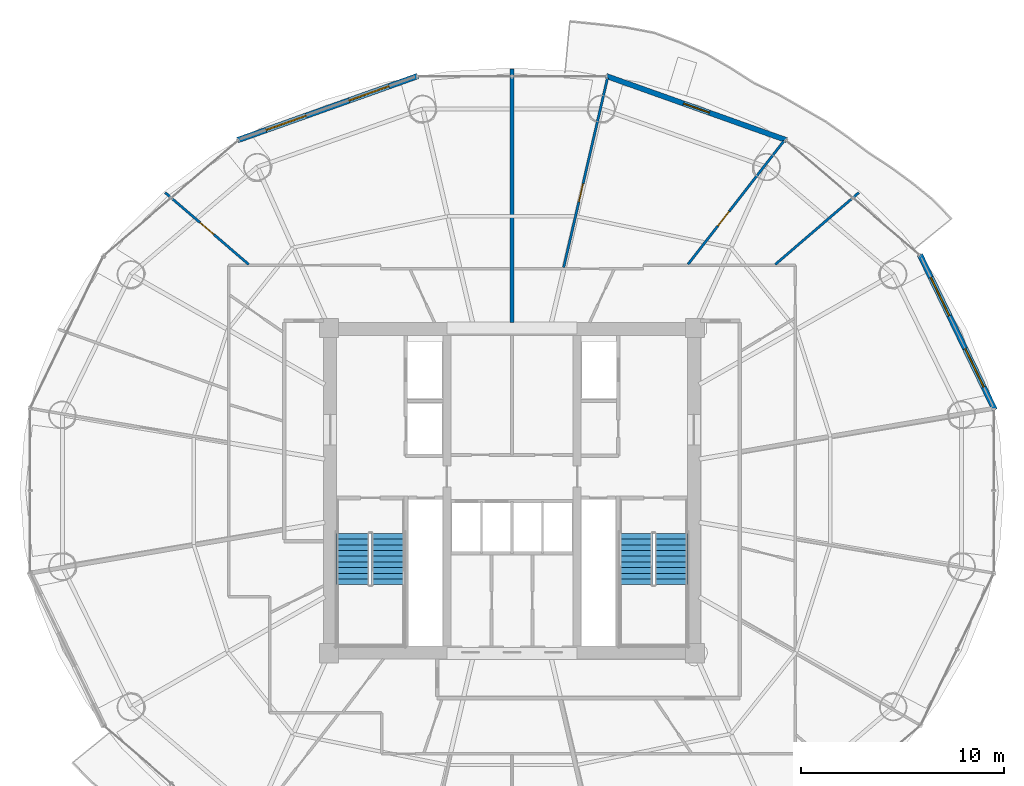
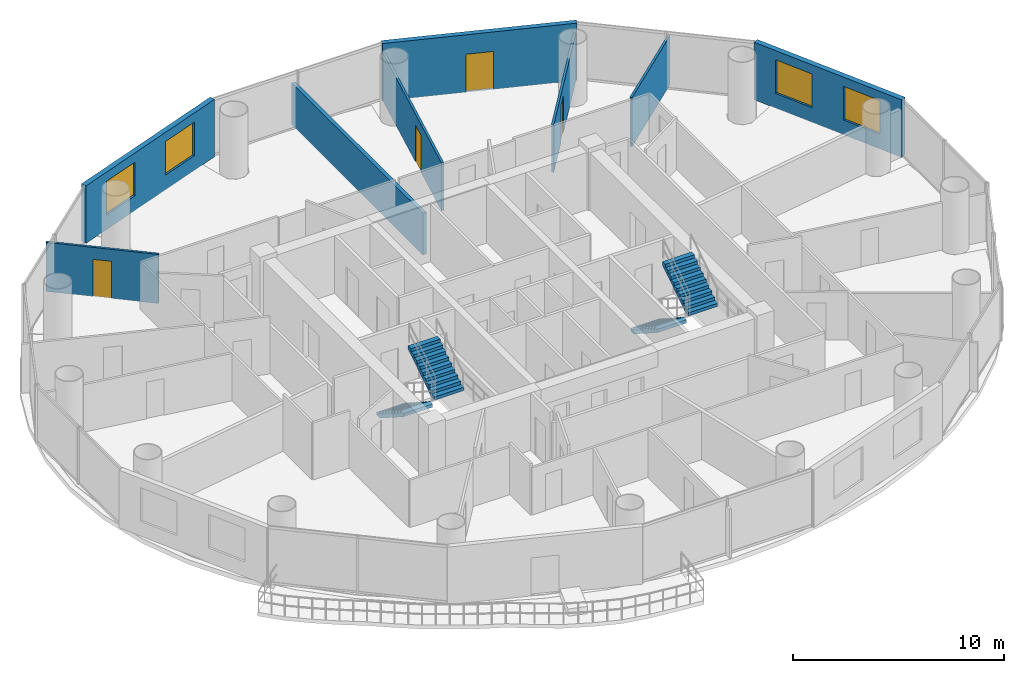
# One storey, part 23 of 26: 8 walls, 4 doors, 4 stair flights, 4 windows, 8 openings, 2 elements without a shape of their own.
"""IFC4 building model written with IfcOpenShell, lengths in metres."""

from ifc_helpers import new_model, si_unit, direction, frame, frame_2d, origin, place, context, subcontext, project, spatial, polyline, rectangle, outline, extrude, source, transform, mapped, material, layer, layer_set, type_object, element, fill, aggregate, save


model = new_model("IFC4")

# Units and contexts
model_context = context("Model", 3, precision=1e-05, world=origin(), true_north=direction((-0.2419218956, 0.970295726276)))
body_context = subcontext(model_context, "Body", "Model", "MODEL_VIEW")
ifc_project = project(units=[si_unit("LENGTHUNIT", "METRE"), si_unit("AREAUNIT", "SQUARE_METRE"), si_unit("VOLUMEUNIT", "CUBIC_METRE"), si_unit("PLANEANGLEUNIT", "RADIAN"), si_unit("MASSUNIT", "GRAM", prefix="KILO")], contexts=[model_context])

# Site, building, storey
site_placement = place(None, origin())
site = spatial("IfcSite", under=ifc_project, at=site_placement, CompositionType="ELEMENT")
building_placement = place(site_placement, origin())
building = spatial("IfcBuilding", under=site, at=building_placement, Name="Cobrevalo Terracotta Tower", CompositionType="ELEMENT")
storey_placement = place(building_placement, frame((0.0, 0.0, 142.60009765625)))
storey = spatial("IfcBuildingStorey", under=building, at=storey_placement, Name="L37", CompositionType="ELEMENT", Elevation=142.60009765625)

# Wall
ifc_material_1 = material(Name="Autoclaved aerated concrete block", Category="concrete")
ifc_layer_1 = layer(ifc_material_1, 0.199951171875)
ifc_layer_set_1 = layer_set([ifc_layer_1], Name="Autoclaved aerated concrete block")
wall_type_1 = type_object("IfcWallType", Name="Fire-rated stair, shaft & demising masonry wall 200 mm", PredefinedType="PARTITIONING", material=ifc_layer_set_1)
wall_1_placement = place(storey_placement, frame((38.0, 35.074951171875, 0.0), z_axis=(0.0, 0.0, 1.0), x_axis=(0.0, 1.0, 0.0)))
element("IfcWall", 1, at=wall_1_placement, inside=storey, type_object=wall_type_1, Name="L37 interior partition IW-L37-DEM-2", PredefinedType="PARTITIONING", context=body_context, shape_type="SweptSolid", body=[
    extrude(rectangle(XDim=12.465087890625, YDim=0.199951171875, at=frame_2d((6.232421875, 0.0))), origin(), (0.0, 0.0, 1.0), 2.414794921875),
])

# Wall, openings, windows
ifc_layer_2 = layer(ifc_material_1, 0.280029296875)
ifc_layer_set_2 = layer_set([ifc_layer_2], Name="Autoclaved aerated concrete block")
wall_type_2 = type_object("IfcWallType", Name="Insulated tower spandrel & pier wall 280 mm with terracotta rainscreen", PredefinedType="SOLIDWALL", material=ifc_layer_set_2)
wall_2_placement = place(storey_placement, frame((61.740234375, 30.780029296875, 0.0), z_axis=(0.0, 0.0, 1.0), x_axis=(-0.434209827226, 0.900811759437, 0.0)))
wall_2 = element("IfcWall", 2, at=wall_2_placement, inside=storey, type_object=wall_type_2, Name="L37 terracotta rainscreen pier wall S01", PredefinedType="SOLIDWALL", context=body_context, shape_type="SweptSolid", body=[
    extrude(rectangle(XDim=8.4716796875, YDim=0.280029296875, at=frame_2d((4.23583984375, 0.0))), origin(), (0.0, 0.0, 1.0), 3.329833984375),
])
opening_1_placement = place(wall_2_placement, frame((1.2373046875, 0.0, 0.85009765625)))
opening_1 = element("IfcOpeningElement", 3, at=opening_1_placement, cuts=wall_2, Name="Opening WN-10", PredefinedType="OPENING", context=body_context, shape_type="SweptSolid", body=[
    extrude(rectangle(XDim=2.10009765625, YDim=1.949951171875, at=frame_2d((1.050048828125, 0.97509765625))), frame((0.0, 0.14990234375, 0.0), z_axis=(0.0, -1.0, 0.0), x_axis=(1.0, 0.0, 0.0)), (0.0, 0.0, 1.0), 0.300048828125),
])
opening_2_placement = place(wall_2_placement, frame((5.13427734375, 0.0, 0.85009765625)))
opening_2 = element("IfcOpeningElement", 4, at=opening_2_placement, cuts=wall_2, Name="Opening WN-10", PredefinedType="OPENING", context=body_context, shape_type="SweptSolid", body=[
    extrude(rectangle(XDim=2.10009765625, YDim=1.949951171875, at=frame_2d((1.050048828125, 0.97509765625))), frame((0.0, 0.14990234375, 0.0), z_axis=(0.0, -1.0, 0.0), x_axis=(1.0, 0.0, 0.0)), (0.0, 0.0, 1.0), 0.300048828125),
])
ifc_material_2 = material(Name="Solar-control low-E double glazing", Category="glass")
window_type = type_object("IfcWindowType", Name="Wide panoramic low-E aluminium window 2100x1950", PartitioningType="SINGLE_PANEL", PredefinedType="WINDOW", material=ifc_material_2)
shared_shape_1 = source(origin(), body_context, "Body", "SweptSolid", [
    extrude(rectangle(XDim=2.10009765625, YDim=1.949951171875, at=frame_2d((1.050048828125, 0.97509765625))), frame((0.0, 0.030029296875, 0.0), z_axis=(0.0, -1.0, 0.0), x_axis=(1.0, 0.0, 0.0)), (0.0, 0.0, 1.0), 0.06005859375),
])
window_1_placement = place(opening_1_placement, origin())
window_1 = element("IfcWindow", 5, at=window_1_placement, inside=storey, type_object=window_type, Name="L37 suite window S01A", OverallHeight=1.949951171875, OverallWidth=2.10009765625, PartitioningType="SINGLE_PANEL", PredefinedType="WINDOW", context=body_context, shape_type="MappedRepresentation", body=[
    mapped(shared_shape_1, transform((0.0, 0.0, 0.0), scale=1.0)),
])
fill(opening_1, window_1)
window_2_placement = place(opening_2_placement, origin())
window_2 = element("IfcWindow", 6, at=window_2_placement, inside=storey, type_object=window_type, Name="L37 suite window S01B", OverallHeight=1.949951171875, OverallWidth=2.10009765625, PartitioningType="SINGLE_PANEL", PredefinedType="WINDOW", context=body_context, shape_type="MappedRepresentation", body=[
    mapped(shared_shape_1, transform((0.0, 0.0, 0.0), scale=1.0)),
])
fill(opening_2, window_2)

wall_3_placement = place(storey_placement, frame((33.360107421875, 47.19775390625, 0.0), z_axis=(0.0, 0.0, 1.0), x_axis=(-0.942095406405, -0.335344964522, 0.0)))
wall_3 = element("IfcWall", 7, at=wall_3_placement, inside=storey, type_object=wall_type_2, Name="L37 terracotta rainscreen pier wall S05", PredefinedType="SOLIDWALL", context=body_context, shape_type="SweptSolid", body=[
    extrude(rectangle(XDim=9.408203125, YDim=0.280029296875, at=frame_2d((4.7041015625, 0.0))), origin(), (0.0, 0.0, 1.0), 3.329833984375),
])
opening_3_placement = place(wall_3_placement, frame((1.490234375, 0.0, 0.85009765625)))
opening_3 = element("IfcOpeningElement", 8, at=opening_3_placement, cuts=wall_3, Name="Opening WN-10", PredefinedType="OPENING", context=body_context, shape_type="SweptSolid", body=[
    extrude(rectangle(XDim=2.10009765625, YDim=1.949951171875, at=frame_2d((1.050048828125, 0.97509765625))), frame((0.0, 0.14990234375, 0.0), z_axis=(0.0, -1.0, 0.0), x_axis=(1.0, 0.0, 0.0)), (0.0, 0.0, 1.0), 0.300048828125),
])
opening_4_placement = place(wall_3_placement, frame((5.818115234375, 0.0, 0.85009765625)))
opening_4 = element("IfcOpeningElement", 9, at=opening_4_placement, cuts=wall_3, Name="Opening WN-10", PredefinedType="OPENING", context=body_context, shape_type="SweptSolid", body=[
    extrude(rectangle(XDim=2.10009765625, YDim=1.949951171875, at=frame_2d((1.050048828125, 0.97509765625))), frame((0.0, 0.14990234375, 0.0), z_axis=(0.0, -1.0, 0.0), x_axis=(1.0, 0.0, 0.0)), (0.0, 0.0, 1.0), 0.300048828125),
])
window_3_placement = place(opening_3_placement, origin())
window_3 = element("IfcWindow", 10, at=window_3_placement, inside=storey, type_object=window_type, Name="L37 suite window S05A", OverallHeight=1.949951171875, OverallWidth=2.10009765625, PartitioningType="SINGLE_PANEL", PredefinedType="WINDOW", context=body_context, shape_type="MappedRepresentation", body=[
    mapped(shared_shape_1, transform((0.0, 0.0, 0.0), scale=1.0)),
])
fill(opening_3, window_3)
window_4_placement = place(opening_4_placement, origin())
window_4 = element("IfcWindow", 11, at=window_4_placement, inside=storey, type_object=window_type, Name="L37 suite window S05B", OverallHeight=1.949951171875, OverallWidth=2.10009765625, PartitioningType="SINGLE_PANEL", PredefinedType="WINDOW", context=body_context, shape_type="MappedRepresentation", body=[
    mapped(shared_shape_1, transform((0.0, 0.0, 0.0), scale=1.0)),
])
fill(opening_4, window_4)

# Wall, opening, door
ifc_layer_3 = layer(ifc_material_1, 0.260009765625)
ifc_layer_set_3 = layer_set([ifc_layer_3], Name="Autoclaved aerated concrete block")
wall_type_3 = type_object("IfcWallType", Name="Recessed balcony loggia insulated exterior wall 260 mm", PredefinedType="SOLIDWALL", material=ifc_layer_set_3)
wall_4_placement = place(storey_placement, frame((51.50341796875, 44.042724609375, 0.0), z_axis=(0.0, 0.0, 1.0), x_axis=(-0.942095406405, 0.335344964522, 0.0)))
wall_4 = element("IfcWall", 12, at=wall_4_placement, inside=storey, type_object=wall_type_3, Name="L37 balcony loggia wall S03", PredefinedType="SOLIDWALL", context=body_context, shape_type="SweptSolid", body=[
    extrude(rectangle(XDim=9.408203125, YDim=0.260009765625, at=frame_2d((4.7041015625, 0.0))), origin(), (0.0, 0.0, 1.0), 3.329833984375),
])
opening_5_placement = place(wall_4_placement, frame((4.029052734375, 0.0, 0.0)))
opening_5 = element("IfcOpeningElement", 13, at=opening_5_placement, cuts=wall_4, Name="Opening ED-05", PredefinedType="OPENING", context=body_context, shape_type="SweptSolid", body=[
    extrude(rectangle(XDim=1.35009765625, YDim=2.199951171875, at=frame_2d((0.675048828125, 1.10009765625))), frame((0.0, 0.14013671875, 0.0), z_axis=(0.0, -1.0, 0.0), x_axis=(1.0, 0.0, 0.0)), (0.0, 0.0, 1.0), 0.280029296875),
])
ifc_material_3 = material(Name="Anodized aluminium and laminated glass", Category="aluminium")
door_type_1 = type_object("IfcDoorType", Name="Suite balcony acoustic glazed terrace door 1350x2200", OperationType="NOTDEFINED", PredefinedType="DOOR", material=ifc_material_3)
shared_shape_2 = source(origin(), body_context, "Body", "SweptSolid", [
    extrude(rectangle(XDim=1.35009765625, YDim=2.199951171875, at=frame_2d((0.675048828125, 1.10009765625))), frame((0.0, 0.02490234375, 0.0), z_axis=(0.0, -1.0, 0.0), x_axis=(1.0, 0.0, 0.0)), (0.0, 0.0, 1.0), 0.050048828125),
])
door_1_placement = place(opening_5_placement, frame((1.35009765625, 0.0, 0.0), z_axis=(0.0, 0.0, 1.0), x_axis=(-1.0, 0.0, 0.0)))
door_1 = element("IfcDoor", 14, at=door_1_placement, inside=storey, type_object=door_type_1, Name="L37 glazed balcony terrace door 1", OperationType="SINGLE_SWING_LEFT", OverallHeight=2.199951171875, OverallWidth=1.35009765625, PredefinedType="DOOR", context=body_context, shape_type="MappedRepresentation", body=[
    mapped(shared_shape_2, transform((0.0, 0.0, 0.0), scale=1.0)),
])
fill(opening_5, door_1)

# Wall
ifc_material_4 = material(Name="Gypsum board on steel stud", Category="steel")
ifc_layer_4 = layer(ifc_material_4, 0.1201171875)
ifc_layer_set_4 = layer_set([ifc_layer_4], Name="Gypsum board on steel stud")
wall_type_4 = type_object("IfcWallType", Name="Residential internal acoustic stud partition 120 mm", PredefinedType="PARTITIONING", material=ifc_layer_set_4)
wall_5_placement = place(storey_placement, frame((50.944091796875, 37.92529296875, 0.0), z_axis=(0.0, 0.0, 1.0), x_axis=(0.758354915574, 0.65184186888, 0.0)))
element("IfcWall", 15, at=wall_5_placement, inside=storey, type_object=wall_type_4, Name="L37 interior partition IW-L37-U1-ORAD1", PredefinedType="PARTITIONING", context=body_context, shape_type="SweptSolid", body=[
    extrude(rectangle(XDim=5.432373046875, YDim=0.1201171875, at=frame_2d((2.71630859375, 0.0))), origin(), (0.0, 0.0, 1.0), 2.845947265625),
])

# Wall, opening, door
wall_6_placement = place(storey_placement, frame((46.655517578125, 37.933837890625, 0.0), z_axis=(0.0, 0.0, 1.0), x_axis=(0.613758289074, 0.789493991487, 0.0)))
wall_6 = element("IfcWall", 16, at=wall_6_placement, inside=storey, type_object=wall_type_4, Name="L37 interior partition IW-L37-U1-ORAD2", PredefinedType="PARTITIONING", context=body_context, shape_type="SweptSolid", body=[
    extrude(rectangle(XDim=7.695068359375, YDim=0.1201171875, at=frame_2d((3.84765625, 0.0))), origin(), (0.0, 0.0, 1.0), 2.77587890625),
])
opening_6_placement = place(wall_6_placement, frame((2.394775390625, 0.0, 0.0)))
opening_6 = element("IfcOpeningElement", 17, at=opening_6_placement, cuts=wall_6, Name="Opening ID-12", PredefinedType="OPENING", context=body_context, shape_type="SweptSolid", body=[
    extrude(rectangle(XDim=0.89990234375, YDim=2.14990234375, at=frame_2d((0.449951171875, 1.074951171875))), frame((0.0, 0.070068359375, 0.0), z_axis=(0.0, -1.0, 0.0), x_axis=(1.0, 0.0, 0.0)), (0.0, 0.0, 1.0), 0.14013671875),
])
ifc_material_5 = material(Name="Engineered timber", Category="wood")
door_type_2 = type_object("IfcDoorType", Name="Internal residence & suite timber door 900x2150", OperationType="NOTDEFINED", PredefinedType="DOOR", material=ifc_material_5)
shared_shape_3 = source(origin(), body_context, "Body", "SweptSolid", [
    extrude(rectangle(XDim=0.89990234375, YDim=2.14990234375, at=frame_2d((0.449951171875, 1.074951171875))), frame((0.0, 0.02490234375, 0.0), z_axis=(0.0, -1.0, 0.0), x_axis=(1.0, 0.0, 0.0)), (0.0, 0.0, 1.0), 0.050048828125),
])
door_2_placement = place(opening_6_placement, frame((0.89990234375, 0.0, 0.0), z_axis=(0.0, 0.0, 1.0), x_axis=(-1.0, 0.0, 0.0)))
door_2 = element("IfcDoor", 18, at=door_2_placement, inside=storey, type_object=door_type_2, Name="Flat L37A Master Bedroom internal door", OperationType="SINGLE_SWING_RIGHT", OverallHeight=2.14990234375, OverallWidth=0.89990234375, PredefinedType="DOOR", context=body_context, shape_type="MappedRepresentation", body=[
    mapped(shared_shape_3, transform((0.0, 0.0, 0.0), scale=1.0)),
])
fill(opening_6, door_2)

wall_7_placement = place(storey_placement, frame((40.542236328125, 37.785400390625, 0.0), z_axis=(0.0, 0.0, 1.0), x_axis=(0.225467545633, 0.974250679171, 0.0)))
wall_7 = element("IfcWall", 19, at=wall_7_placement, inside=storey, type_object=wall_type_4, Name="L37 interior partition IW-L37-U1-ORAD3M1", PredefinedType="PARTITIONING", context=body_context, shape_type="SweptSolid", body=[
    extrude(rectangle(XDim=9.55908203125, YDim=0.1201171875, at=frame_2d((4.779541015625, 0.0))), origin(), (0.0, 0.0, 1.0), 2.77587890625),
])
opening_7_placement = place(wall_7_placement, frame((3.3203125, 0.0, 0.0)))
opening_7 = element("IfcOpeningElement", 20, at=opening_7_placement, cuts=wall_7, Name="Opening ID-12", PredefinedType="OPENING", context=body_context, shape_type="SweptSolid", body=[
    extrude(rectangle(XDim=0.89990234375, YDim=2.14990234375, at=frame_2d((0.449951171875, 1.074951171875))), frame((0.0, 0.070068359375, 0.0), z_axis=(0.0, -1.0, 0.0), x_axis=(1.0, 0.0, 0.0)), (0.0, 0.0, 1.0), 0.14013671875),
])
door_3_placement = place(opening_7_placement, origin())
door_3 = element("IfcDoor", 21, at=door_3_placement, inside=storey, type_object=door_type_2, Name="Flat L37A Principal Guest Bedroom internal door", OperationType="SINGLE_SWING_LEFT", OverallHeight=2.14990234375, OverallWidth=0.89990234375, PredefinedType="DOOR", context=body_context, shape_type="MappedRepresentation", body=[
    mapped(shared_shape_3, transform((0.0, 0.0, 0.0), scale=1.0)),
])
fill(opening_7, door_3)

wall_8_placement = place(storey_placement, frame((25.055908203125, 37.92529296875, 0.0), z_axis=(0.0, 0.0, 1.0), x_axis=(-0.758354915574, 0.65184186888, 0.0)))
wall_8 = element("IfcWall", 22, at=wall_8_placement, inside=storey, type_object=wall_type_4, Name="L37 interior partition IW-L37-U2-ORAD1", PredefinedType="PARTITIONING", context=body_context, shape_type="SweptSolid", body=[
    extrude(rectangle(XDim=5.432373046875, YDim=0.1201171875, at=frame_2d((2.71630859375, 0.0))), origin(), (0.0, 0.0, 1.0), 2.845947265625),
])
opening_8_placement = place(wall_8_placement, frame((2.26611328125, 0.0, 0.0)))
opening_8 = element("IfcOpeningElement", 23, at=opening_8_placement, cuts=wall_8, Name="Opening ID-12", PredefinedType="OPENING", context=body_context, shape_type="SweptSolid", body=[
    extrude(rectangle(XDim=0.89990234375, YDim=2.14990234375, at=frame_2d((0.449951171875, 1.074951171875))), frame((0.0, 0.070068359375, 0.0), z_axis=(0.0, -1.0, 0.0), x_axis=(1.0, 0.0, 0.0)), (0.0, 0.0, 1.0), 0.14013671875),
])
door_4_placement = place(opening_8_placement, origin())
door_4 = element("IfcDoor", 24, at=door_4_placement, inside=storey, type_object=door_type_2, Name="Flat L37B Master Bedroom internal door", OperationType="SINGLE_SWING_LEFT", OverallHeight=2.14990234375, OverallWidth=0.89990234375, PredefinedType="DOOR", context=body_context, shape_type="MappedRepresentation", body=[
    mapped(shared_shape_3, transform((0.0, 0.0, 0.0), scale=1.0)),
])
fill(opening_8, door_4)

# Stair, stair flights
ifc_material_6 = material(Name="Concrete C50", Category="concrete")
stair_type = type_object("IfcStairType", Name="Core protected escape dogleg stair 1600", PredefinedType="HALF_TURN_STAIR", material=ifc_material_6)
stair_1_placement = place(storey_placement, origin())
stair_1 = element("IfcStair", 25, at=stair_1_placement, inside=storey, type_object=stair_type, Name="L37 Protected exit stair ST-1", PredefinedType="HALF_TURN_STAIR")
stair_flight_type = type_object("IfcStairFlightType", Name="Core protected escape dogleg stair 1600 flight", PredefinedType="STRAIGHT", material=ifc_material_6)
stair_flight_1_placement = place(storey_placement, frame((30.175048828125, 24.699951171875, 0.0), z_axis=(0.0, 0.0, 1.0), x_axis=(0.0, -1.0, 0.0)))
stair_flight_1 = element("IfcStairFlight", 26, at=stair_flight_1_placement, type_object=stair_flight_type, Name="ST-1 flight 1", NumberOfRisers=10, NumberOfTreads=9, PredefinedType="STRAIGHT", RiserHeight=0.18, TreadLength=0.28, context=body_context, shape_type="SweptSolid", body=[
    extrude(outline(polyline([(0.0, 0.0), (0.0, 0.179931640625), (0.280029296875, 0.179931640625), (0.280029296875, 0.360107421875), (0.56005859375, 0.360107421875), (0.56005859375, 0.5400390625), (0.840087890625, 0.5400390625), (0.840087890625, 0.719970703125), (1.1201171875, 0.719970703125), (1.1201171875, 0.89990234375), (1.39990234375, 0.89990234375), (1.39990234375, 1.080078125), (1.679931640625, 1.080078125), (1.679931640625, 1.260009765625), (1.9599609375, 1.260009765625), (1.9599609375, 1.43994140625), (2.239990234375, 1.43994140625), (2.239990234375, 1.6201171875), (2.52001953125, 1.6201171875), (2.52001953125, 1.800048828125), (2.52001953125, 1.429931640625), (0.295654296875, 0.0), (0.0, 0.0)])), frame((0.0, 0.800048828125, 0.0), z_axis=(0.0, -1.0, 0.0), x_axis=(1.0, 0.0, 0.0)), (0.0, 0.0, 1.0), 1.60009765625),
])
stair_flight_2_placement = place(storey_placement, frame((31.89501953125, 22.179931640625, 1.7998046875), z_axis=(0.0, 0.0, 1.0), x_axis=(0.0, 1.0, 0.0)))
stair_flight_2 = element("IfcStairFlight", 27, at=stair_flight_2_placement, type_object=stair_flight_type, Name="ST-1 flight 2", NumberOfRisers=10, NumberOfTreads=9, PredefinedType="STRAIGHT", RiserHeight=0.18, TreadLength=0.28, context=body_context, shape_type="SweptSolid", body=[
    extrude(outline(polyline([(0.0, 0.0), (0.0, 0.179931640625), (0.280029296875, 0.179931640625), (0.280029296875, 0.360107421875), (0.56005859375, 0.360107421875), (0.56005859375, 0.5400390625), (0.840087890625, 0.5400390625), (0.840087890625, 0.719970703125), (1.1201171875, 0.719970703125), (1.1201171875, 0.89990234375), (1.39990234375, 0.89990234375), (1.39990234375, 1.080078125), (1.679931640625, 1.080078125), (1.679931640625, 1.260009765625), (1.9599609375, 1.260009765625), (1.9599609375, 1.43994140625), (2.239990234375, 1.43994140625), (2.239990234375, 1.6201171875), (2.52001953125, 1.6201171875), (2.52001953125, 1.800048828125), (2.52001953125, 1.429931640625), (0.295654296875, 0.0), (0.0, 0.0)])), frame((0.0, 0.800048828125, 0.0), z_axis=(0.0, -1.0, 0.0), x_axis=(1.0, 0.0, 0.0)), (0.0, 0.0, 1.0), 1.60009765625),
])
aggregate(stair_1, [stair_flight_1, stair_flight_2])

stair_2_placement = place(storey_placement, origin())
stair_2 = element("IfcStair", 28, at=stair_2_placement, inside=storey, type_object=stair_type, Name="L37 Protected exit stair ST-2", PredefinedType="HALF_TURN_STAIR")
stair_flight_3_placement = place(storey_placement, frame((44.10498046875, 24.699951171875, 0.0), z_axis=(0.0, 0.0, 1.0), x_axis=(0.0, -1.0, 0.0)))
stair_flight_3 = element("IfcStairFlight", 29, at=stair_flight_3_placement, type_object=stair_flight_type, Name="ST-2 flight 1", NumberOfRisers=10, NumberOfTreads=9, PredefinedType="STRAIGHT", RiserHeight=0.18, TreadLength=0.28, context=body_context, shape_type="SweptSolid", body=[
    extrude(outline(polyline([(0.0, 0.0), (0.0, 0.179931640625), (0.280029296875, 0.179931640625), (0.280029296875, 0.360107421875), (0.56005859375, 0.360107421875), (0.56005859375, 0.5400390625), (0.840087890625, 0.5400390625), (0.840087890625, 0.719970703125), (1.1201171875, 0.719970703125), (1.1201171875, 0.89990234375), (1.39990234375, 0.89990234375), (1.39990234375, 1.080078125), (1.679931640625, 1.080078125), (1.679931640625, 1.260009765625), (1.9599609375, 1.260009765625), (1.9599609375, 1.43994140625), (2.239990234375, 1.43994140625), (2.239990234375, 1.6201171875), (2.52001953125, 1.6201171875), (2.52001953125, 1.800048828125), (2.52001953125, 1.429931640625), (0.295654296875, 0.0), (0.0, 0.0)])), frame((0.0, 0.800048828125, 0.0), z_axis=(0.0, -1.0, 0.0), x_axis=(1.0, 0.0, 0.0)), (0.0, 0.0, 1.0), 1.60009765625),
])
stair_flight_4_placement = place(storey_placement, frame((45.824951171875, 22.179931640625, 1.7998046875), z_axis=(0.0, 0.0, 1.0), x_axis=(0.0, 1.0, 0.0)))
stair_flight_4 = element("IfcStairFlight", 30, at=stair_flight_4_placement, type_object=stair_flight_type, Name="ST-2 flight 2", NumberOfRisers=10, NumberOfTreads=9, PredefinedType="STRAIGHT", RiserHeight=0.18, TreadLength=0.28, context=body_context, shape_type="SweptSolid", body=[
    extrude(outline(polyline([(0.0, 0.0), (0.0, 0.179931640625), (0.280029296875, 0.179931640625), (0.280029296875, 0.360107421875), (0.56005859375, 0.360107421875), (0.56005859375, 0.5400390625), (0.840087890625, 0.5400390625), (0.840087890625, 0.719970703125), (1.1201171875, 0.719970703125), (1.1201171875, 0.89990234375), (1.39990234375, 0.89990234375), (1.39990234375, 1.080078125), (1.679931640625, 1.080078125), (1.679931640625, 1.260009765625), (1.9599609375, 1.260009765625), (1.9599609375, 1.43994140625), (2.239990234375, 1.43994140625), (2.239990234375, 1.6201171875), (2.52001953125, 1.6201171875), (2.52001953125, 1.800048828125), (2.52001953125, 1.429931640625), (0.295654296875, 0.0), (0.0, 0.0)])), frame((0.0, 0.800048828125, 0.0), z_axis=(0.0, -1.0, 0.0), x_axis=(1.0, 0.0, 0.0)), (0.0, 0.0, 1.0), 1.60009765625),
])
aggregate(stair_2, [stair_flight_3, stair_flight_4])

save(model, "model.ifc")
